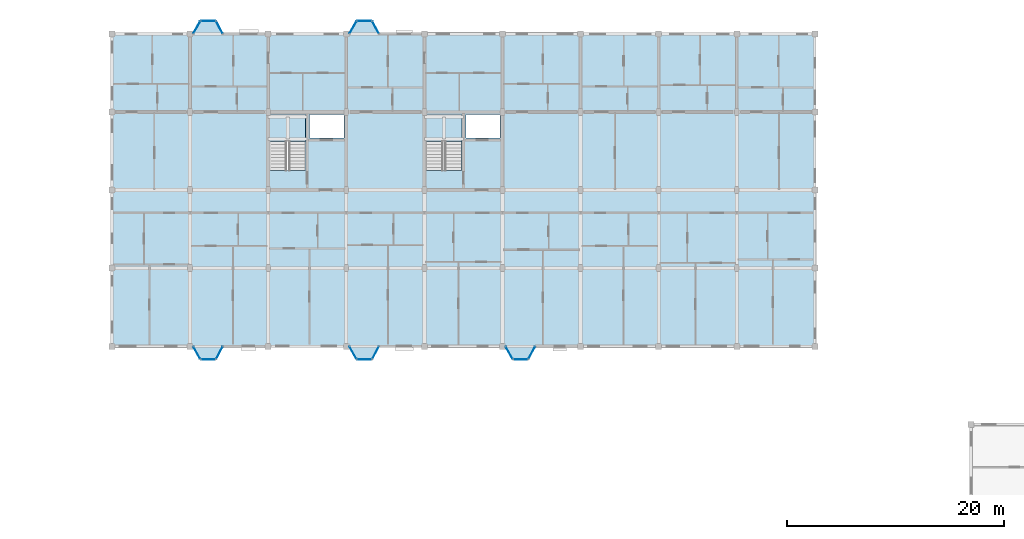
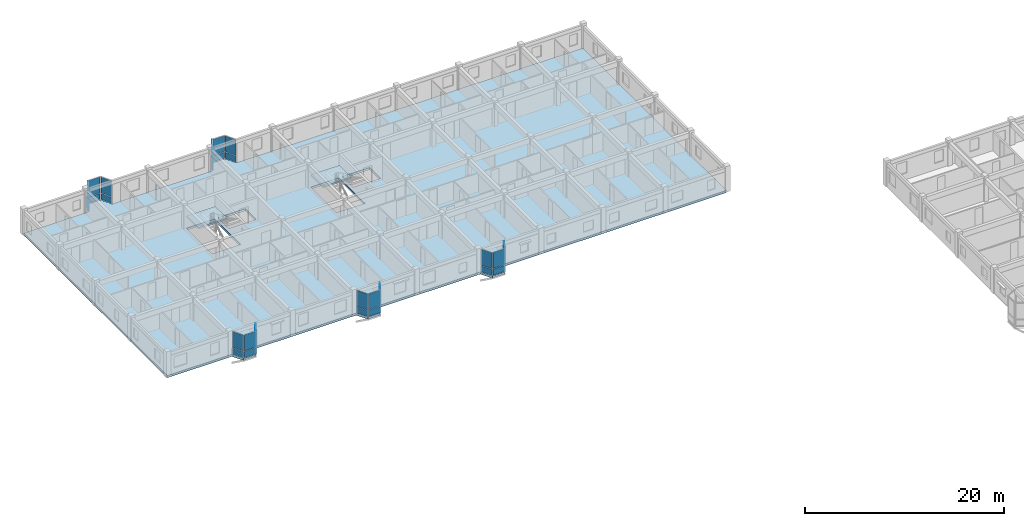
# One storey, part 49 of 77: 30 plates, 3 slabs, 17 elements without a shape of their own.
"""IFC4 building model written with IfcOpenShell, lengths in metres."""

from ifc_helpers import new_model, si_unit, direction, frame, origin, origin_2d, place, context, subcontext, project, spatial, polyline, rectangle, outline, extrude, material, layer, layer_set, type_object, element, aggregate, save


model = new_model("IFC4")

# Units and contexts
model_context = context("Model", 3, precision=1e-05, world=origin(), true_north=direction((0.0, 1.0)))
body_context = subcontext(model_context, "Body", "Model", "MODEL_VIEW")
ifc_project = project(units=[si_unit("LENGTHUNIT", "METRE"), si_unit("AREAUNIT", "SQUARE_METRE"), si_unit("VOLUMEUNIT", "CUBIC_METRE"), si_unit("PLANEANGLEUNIT", "RADIAN"), si_unit("MASSUNIT", "GRAM", prefix="KILO"), si_unit("THERMODYNAMICTEMPERATUREUNIT", "KELVIN"), si_unit("POWERUNIT", "WATT")], contexts=[model_context])

# Site, building, storey
site_placement = place(None, origin())
site = spatial("IfcSite", under=ifc_project, at=site_placement, CompositionType="ELEMENT")
building_placement = place(site_placement, origin())
building = spatial("IfcBuilding", under=site, at=building_placement, Name="Tavuni Mirador Residences", CompositionType="ELEMENT")
storey_placement = place(building_placement, frame((0.0, 0.0, 10.800048828125)))
storey = spatial("IfcBuildingStorey", under=building, at=storey_placement, Name="L03", CompositionType="ELEMENT", Elevation=10.800048828125)

# Curtain wall, plate
ifc_material_1 = material(Name="Anodised aluminium", Category="aluminium")
ifc_layer_1 = layer(ifc_material_1, 0.1650390625, Name="Anodised aluminium", Category="aluminium")
ifc_layer_set_1 = layer_set([ifc_layer_1], Name="Anodised aluminium")
curtain_wall_type_1 = type_object("IfcCurtainWallType", Name="CWT-MIR-A", PredefinedType="NOTDEFINED", material=ifc_layer_set_1)
curtain_wall_1_placement = place(storey_placement, origin())
curtain_wall_1 = element("IfcCurtainWall", 1, at=curtain_wall_1_placement, inside=storey, type_object=curtain_wall_type_1, Name="CW-MIR-C-S1-L03-MF", PredefinedType="NOTDEFINED")
ifc_material_2 = material(Name="Laminated solar-control glass", Category="glass")
ifc_layer_2 = layer(ifc_material_2, 0.02392578125, Name="Laminated solar-control glass", Category="glass")
ifc_layer_set_2 = layer_set([ifc_layer_2], Name="Laminated solar-control glass")
plate_type_1 = type_object("IfcPlateType", Name="CWP-GL24", PredefinedType="CURTAIN_PANEL", material=ifc_layer_set_2)
plate_1_placement = place(storey_placement, frame((19.669921875, 142.800048828125, 0.8798828125), z_axis=(0.0, 0.0, 1.0), x_axis=(1.0, 0.0, 0.0)))
plate_1 = element("IfcPlate", 2, at=plate_1_placement, type_object=plate_type_1, Name="CW-01 panel 1.2", PredefinedType="CURTAIN_PANEL", context=body_context, shape_type="SweptSolid", body=[
    extrude(rectangle(XDim=1.300048828125, YDim=0.02392578125, at=origin_2d()), origin(), (0.0, 0.0, 1.0), 1.945068359375),
])

curtain_wall_2_placement = place(storey_placement, origin())
curtain_wall_2 = element("IfcCurtainWall", 3, at=curtain_wall_2_placement, inside=storey, type_object=curtain_wall_type_1, Name="CW-MIR-C-S2-L03-M2", PredefinedType="NOTDEFINED")
plate_2_placement = place(storey_placement, frame((35.10009765625, 143.39990234375, 0.8798828125), z_axis=(0.0, 0.0, 1.0), x_axis=(0.470588235296, 0.882352941175, 0.0)))
plate_2 = element("IfcPlate", 4, at=plate_2_placement, type_object=plate_type_1, Name="CW-01 panel 1.2", PredefinedType="CURTAIN_PANEL", context=body_context, shape_type="SweptSolid", body=[
    extrude(rectangle(XDim=1.239990234375, YDim=0.02392578125, at=origin_2d()), origin(), (0.0, 0.0, 1.0), 1.945068359375),
])

curtain_wall_3_placement = place(storey_placement, origin())
curtain_wall_3 = element("IfcCurtainWall", 5, at=curtain_wall_3_placement, inside=storey, type_object=curtain_wall_type_1, Name="CW-MIR-C-N2-L03-M1", PredefinedType="NOTDEFINED")
plate_3_placement = place(storey_placement, frame((35.10009765625, 173.39990234375, 0.8798828125), z_axis=(0.0, 0.0, 1.0), x_axis=(-0.470588235296, 0.882352941175, 0.0)))
plate_3 = element("IfcPlate", 6, at=plate_3_placement, type_object=plate_type_1, Name="CW-01 panel 1.2", PredefinedType="CURTAIN_PANEL", context=body_context, shape_type="SweptSolid", body=[
    extrude(rectangle(XDim=1.239990234375, YDim=0.02392578125, at=origin_2d()), origin(), (0.0, 0.0, 1.0), 1.945068359375),
])

curtain_wall_4_placement = place(storey_placement, origin())
curtain_wall_4 = element("IfcCurtainWall", 7, at=curtain_wall_4_placement, inside=storey, type_object=curtain_wall_type_1, Name="CW-MIR-C-N1-L03-MF", PredefinedType="NOTDEFINED")
plate_4_placement = place(storey_placement, frame((19.669921875, 174.0, 0.8798828125), z_axis=(0.0, 0.0, 1.0), x_axis=(-1.0, 0.0, 0.0)))
plate_4 = element("IfcPlate", 8, at=plate_4_placement, type_object=plate_type_1, Name="CW-01 panel 1.2", PredefinedType="CURTAIN_PANEL", context=body_context, shape_type="SweptSolid", body=[
    extrude(rectangle(XDim=1.300048828125, YDim=0.02392578125, at=origin_2d()), origin(), (0.0, 0.0, 1.0), 1.945068359375),
])

ifc_layer_3 = layer(ifc_material_1, 0.14990234375, Name="Anodised aluminium", Category="aluminium")
ifc_layer_set_3 = layer_set([ifc_layer_3], Name="Anodised aluminium")
curtain_wall_type_2 = type_object("IfcCurtainWallType", Name="CWT-MIR-B", PredefinedType="NOTDEFINED", material=ifc_layer_set_3)
curtain_wall_5_placement = place(storey_placement, origin())
curtain_wall_5 = element("IfcCurtainWall", 9, at=curtain_wall_5_placement, inside=storey, type_object=curtain_wall_type_2, Name="CW-MIR-C-S1-L03-M2", PredefinedType="NOTDEFINED")
ifc_layer_4 = layer(ifc_material_2, 0.028076171875, Name="Laminated solar-control glass", Category="glass")
ifc_layer_set_4 = layer_set([ifc_layer_4], Name="Laminated solar-control glass")
plate_type_2 = type_object("IfcPlateType", Name="CWP-GL28", PredefinedType="CURTAIN_PANEL", material=ifc_layer_set_4)
plate_5_placement = place(storey_placement, frame((20.699951171875, 143.39990234375, 0.882568359375), z_axis=(0.0, 0.0, 1.0), x_axis=(0.470588235296, 0.882352941175, 0.0)))
plate_5 = element("IfcPlate", 10, at=plate_5_placement, type_object=plate_type_2, Name="CW-02 panel 1.2", PredefinedType="CURTAIN_PANEL", context=body_context, shape_type="SweptSolid", body=[
    extrude(rectangle(XDim=1.22998046875, YDim=0.028076171875, at=origin_2d()), origin(), (0.0, 0.0, 1.0), 1.9375),
])

curtain_wall_6_placement = place(storey_placement, origin())
curtain_wall_6 = element("IfcCurtainWall", 11, at=curtain_wall_6_placement, inside=storey, type_object=curtain_wall_type_2, Name="CW-MIR-C-S3-L03-M1", PredefinedType="NOTDEFINED")
plate_6_placement = place(storey_placement, frame((47.41748046875, 143.39990234375, 0.882568359375), z_axis=(0.0, 0.0, 1.0), x_axis=(0.495749192217, -0.868465738194, 0.0)))
plate_6 = element("IfcPlate", 12, at=plate_6_placement, type_object=plate_type_2, Name="CW-02 panel 1.2", PredefinedType="CURTAIN_PANEL", context=body_context, shape_type="SweptSolid", body=[
    extrude(rectangle(XDim=1.251708984375, YDim=0.028076171875, at=origin_2d()), origin(), (0.0, 0.0, 1.0), 1.9375),
])

curtain_wall_7_placement = place(storey_placement, origin())
curtain_wall_7 = element("IfcCurtainWall", 13, at=curtain_wall_7_placement, inside=storey, type_object=curtain_wall_type_2, Name="CW-MIR-C-N2-L03-MF", PredefinedType="NOTDEFINED")
plate_7_placement = place(storey_placement, frame((34.070068359375, 174.0, 0.882568359375), z_axis=(0.0, 0.0, 1.0), x_axis=(-1.0, 0.0, 0.0)))
plate_7 = element("IfcPlate", 14, at=plate_7_placement, type_object=plate_type_2, Name="CW-02 panel 1.2", PredefinedType="CURTAIN_PANEL", context=body_context, shape_type="SweptSolid", body=[
    extrude(rectangle(XDim=1.2900390625, YDim=0.028076171875, at=origin_2d()), origin(), (0.0, 0.0, 1.0), 1.9375),
])

curtain_wall_8_placement = place(storey_placement, origin())
curtain_wall_8 = element("IfcCurtainWall", 15, at=curtain_wall_8_placement, inside=storey, type_object=curtain_wall_type_2, Name="CW-MIR-C-N1-L03-M2", PredefinedType="NOTDEFINED")
plate_8_placement = place(storey_placement, frame((18.617431640625, 173.39990234375, 0.882568359375), z_axis=(0.0, 0.0, 1.0), x_axis=(-0.495749192217, -0.868465738194, 0.0)))
plate_8 = element("IfcPlate", 16, at=plate_8_placement, type_object=plate_type_2, Name="CW-02 panel 1.2", PredefinedType="CURTAIN_PANEL", context=body_context, shape_type="SweptSolid", body=[
    extrude(rectangle(XDim=1.251708984375, YDim=0.028076171875, at=origin_2d()), origin(), (0.0, 0.0, 1.0), 1.9375),
])

ifc_layer_5 = layer(ifc_material_1, 0.175048828125, Name="Anodised aluminium", Category="aluminium")
ifc_layer_set_5 = layer_set([ifc_layer_5], Name="Anodised aluminium")
curtain_wall_type_3 = type_object("IfcCurtainWallType", Name="CWT-MIR-C", PredefinedType="NOTDEFINED", material=ifc_layer_set_5)
curtain_wall_9_placement = place(storey_placement, origin())
curtain_wall_9 = element("IfcCurtainWall", 17, at=curtain_wall_9_placement, inside=storey, type_object=curtain_wall_type_3, Name="CW-MIR-C-S2-L03-M1", PredefinedType="NOTDEFINED")
ifc_layer_6 = layer(ifc_material_2, 0.031982421875, Name="Laminated solar-control glass", Category="glass")
ifc_layer_set_6 = layer_set([ifc_layer_6], Name="Laminated solar-control glass")
plate_type_3 = type_object("IfcPlateType", Name="CWP-GL32", PredefinedType="CURTAIN_PANEL", material=ifc_layer_set_6)
plate_9_placement = place(storey_placement, frame((33.017578125, 143.39990234375, 0.8798828125), z_axis=(0.0, 0.0, 1.0), x_axis=(0.495749192217, -0.868465738194, 0.0)))
plate_9 = element("IfcPlate", 18, at=plate_9_placement, type_object=plate_type_3, Name="CW-03 panel 1.2", PredefinedType="CURTAIN_PANEL", context=body_context, shape_type="SweptSolid", body=[
    extrude(rectangle(XDim=1.26171875, YDim=0.031982421875, at=origin_2d()), origin(), (0.0, 0.0, 1.0), 1.945068359375),
])

curtain_wall_10_placement = place(storey_placement, origin())
curtain_wall_10 = element("IfcCurtainWall", 19, at=curtain_wall_10_placement, inside=storey, type_object=curtain_wall_type_3, Name="CW-MIR-C-S3-L03-MF", PredefinedType="NOTDEFINED")
plate_10_placement = place(storey_placement, frame((48.469970703125, 142.800048828125, 0.8798828125), z_axis=(0.0, 0.0, 1.0), x_axis=(1.0, 0.0, 0.0)))
plate_10 = element("IfcPlate", 20, at=plate_10_placement, type_object=plate_type_3, Name="CW-03 panel 1.2", PredefinedType="CURTAIN_PANEL", context=body_context, shape_type="SweptSolid", body=[
    extrude(rectangle(XDim=1.300048828125, YDim=0.031982421875, at=origin_2d()), origin(), (0.0, 0.0, 1.0), 1.945068359375),
])

curtain_wall_11_placement = place(storey_placement, origin())
curtain_wall_11 = element("IfcCurtainWall", 21, at=curtain_wall_11_placement, inside=storey, type_object=curtain_wall_type_3, Name="CW-MIR-C-N2-L03-M2", PredefinedType="NOTDEFINED")
plate_11_placement = place(storey_placement, frame((33.017578125, 173.39990234375, 0.8798828125), z_axis=(0.0, 0.0, 1.0), x_axis=(-0.495749192217, -0.868465738194, 0.0)))
plate_11 = element("IfcPlate", 22, at=plate_11_placement, type_object=plate_type_3, Name="CW-03 panel 1.2", PredefinedType="CURTAIN_PANEL", context=body_context, shape_type="SweptSolid", body=[
    extrude(rectangle(XDim=1.26171875, YDim=0.031982421875, at=origin_2d()), origin(), (0.0, 0.0, 1.0), 1.945068359375),
])

ifc_layer_7 = layer(ifc_material_1, 0.159912109375, Name="Anodised aluminium", Category="aluminium")
ifc_layer_set_7 = layer_set([ifc_layer_7], Name="Anodised aluminium")
curtain_wall_type_4 = type_object("IfcCurtainWallType", Name="CWT-MIR-D", PredefinedType="NOTDEFINED", material=ifc_layer_set_7)
curtain_wall_12_placement = place(storey_placement, origin())
curtain_wall_12 = element("IfcCurtainWall", 23, at=curtain_wall_12_placement, inside=storey, type_object=curtain_wall_type_4, Name="CW-MIR-C-S1-L03-M1", PredefinedType="NOTDEFINED")
ifc_layer_8 = layer(ifc_material_2, 0.035888671875, Name="Laminated solar-control glass", Category="glass")
ifc_layer_set_8 = layer_set([ifc_layer_8], Name="Laminated solar-control glass")
plate_type_4 = type_object("IfcPlateType", Name="CWP-GL36", PredefinedType="CURTAIN_PANEL", material=ifc_layer_set_8)
plate_12_placement = place(storey_placement, frame((18.617431640625, 143.39990234375, 0.882568359375), z_axis=(0.0, 0.0, 1.0), x_axis=(0.495749192217, -0.868465738194, 0.0)))
plate_12 = element("IfcPlate", 24, at=plate_12_placement, type_object=plate_type_4, Name="CW-04 panel 1.2", PredefinedType="CURTAIN_PANEL", context=body_context, shape_type="SweptSolid", body=[
    extrude(rectangle(XDim=1.251708984375, YDim=0.035888671875, at=origin_2d()), origin(), (0.0, 0.0, 1.0), 1.9375),
])

curtain_wall_13_placement = place(storey_placement, origin())
curtain_wall_13 = element("IfcCurtainWall", 25, at=curtain_wall_13_placement, inside=storey, type_object=curtain_wall_type_4, Name="CW-MIR-C-S2-L03-MF", PredefinedType="NOTDEFINED")
plate_13_placement = place(storey_placement, frame((34.070068359375, 142.800048828125, 0.882568359375), z_axis=(0.0, 0.0, 1.0), x_axis=(1.0, 0.0, 0.0)))
plate_13 = element("IfcPlate", 26, at=plate_13_placement, type_object=plate_type_4, Name="CW-04 panel 1.2", PredefinedType="CURTAIN_PANEL", context=body_context, shape_type="SweptSolid", body=[
    extrude(rectangle(XDim=1.2900390625, YDim=0.035888671875, at=origin_2d()), origin(), (0.0, 0.0, 1.0), 1.9375),
])

curtain_wall_14_placement = place(storey_placement, origin())
curtain_wall_14 = element("IfcCurtainWall", 27, at=curtain_wall_14_placement, inside=storey, type_object=curtain_wall_type_4, Name="CW-MIR-C-S3-L03-M2", PredefinedType="NOTDEFINED")
plate_14_placement = place(storey_placement, frame((49.5, 143.39990234375, 0.882568359375), z_axis=(0.0, 0.0, 1.0), x_axis=(0.470588235296, 0.882352941175, 0.0)))
plate_14 = element("IfcPlate", 28, at=plate_14_placement, type_object=plate_type_4, Name="CW-04 panel 1.2", PredefinedType="CURTAIN_PANEL", context=body_context, shape_type="SweptSolid", body=[
    extrude(rectangle(XDim=1.22998046875, YDim=0.035888671875, at=origin_2d()), origin(), (0.0, 0.0, 1.0), 1.9375),
])

curtain_wall_15_placement = place(storey_placement, origin())
curtain_wall_15 = element("IfcCurtainWall", 29, at=curtain_wall_15_placement, inside=storey, type_object=curtain_wall_type_4, Name="CW-MIR-C-N1-L03-M1", PredefinedType="NOTDEFINED")
plate_15_placement = place(storey_placement, frame((20.699951171875, 173.39990234375, 0.882568359375), z_axis=(0.0, 0.0, 1.0), x_axis=(-0.470588235296, 0.882352941175, 0.0)))
plate_15 = element("IfcPlate", 30, at=plate_15_placement, type_object=plate_type_4, Name="CW-04 panel 1.2", PredefinedType="CURTAIN_PANEL", context=body_context, shape_type="SweptSolid", body=[
    extrude(rectangle(XDim=1.22998046875, YDim=0.035888671875, at=origin_2d()), origin(), (0.0, 0.0, 1.0), 1.9375),
])

# Plate
ifc_material_3 = material(Name="Ceramic trencadis mosaic panel", Category="masonry")
ifc_layer_9 = layer(ifc_material_3, 0.0419921875, Name="Ceramic trencadis mosaic panel", Category="masonry")
ifc_layer_set_9 = layer_set([ifc_layer_9], Name="Ceramic trencadis mosaic panel")
plate_type_5 = type_object("IfcPlateType", Name="CWP-SP42", PredefinedType="CURTAIN_PANEL", material=ifc_layer_set_9)
plate_16_placement = place(storey_placement, frame((19.669921875, 142.800048828125, 0.06005859375), z_axis=(0.0, 0.0, 1.0), x_axis=(1.0, 0.0, 0.0)))
plate_16 = element("IfcPlate", 31, at=plate_16_placement, type_object=plate_type_5, Name="CW-01 panel 1.1", PredefinedType="CURTAIN_PANEL", context=body_context, shape_type="SweptSolid", body=[
    extrude(rectangle(XDim=1.300048828125, YDim=0.0419921875, at=origin_2d()), origin(), (0.0, 0.0, 1.0), 0.760009765625),
])

aggregate(curtain_wall_1, [plate_16, plate_1])

plate_17_placement = place(storey_placement, frame((33.017578125, 143.39990234375, 0.06005859375), z_axis=(0.0, 0.0, 1.0), x_axis=(0.495749192217, -0.868465738194, 0.0)))
plate_17 = element("IfcPlate", 32, at=plate_17_placement, type_object=plate_type_5, Name="CW-03 panel 1.1", PredefinedType="CURTAIN_PANEL", context=body_context, shape_type="SweptSolid", body=[
    extrude(rectangle(XDim=1.26171875, YDim=0.0419921875, at=origin_2d()), origin(), (0.0, 0.0, 1.0), 0.760009765625),
])

aggregate(curtain_wall_9, [plate_17, plate_9])

plate_18_placement = place(storey_placement, frame((35.10009765625, 143.39990234375, 0.06005859375), z_axis=(0.0, 0.0, 1.0), x_axis=(0.470588235296, 0.882352941175, 0.0)))
plate_18 = element("IfcPlate", 33, at=plate_18_placement, type_object=plate_type_5, Name="CW-01 panel 1.1", PredefinedType="CURTAIN_PANEL", context=body_context, shape_type="SweptSolid", body=[
    extrude(rectangle(XDim=1.239990234375, YDim=0.0419921875, at=origin_2d()), origin(), (0.0, 0.0, 1.0), 0.760009765625),
])

aggregate(curtain_wall_2, [plate_18, plate_2])

plate_19_placement = place(storey_placement, frame((48.469970703125, 142.800048828125, 0.06005859375), z_axis=(0.0, 0.0, 1.0), x_axis=(1.0, 0.0, 0.0)))
plate_19 = element("IfcPlate", 34, at=plate_19_placement, type_object=plate_type_5, Name="CW-03 panel 1.1", PredefinedType="CURTAIN_PANEL", context=body_context, shape_type="SweptSolid", body=[
    extrude(rectangle(XDim=1.300048828125, YDim=0.0419921875, at=origin_2d()), origin(), (0.0, 0.0, 1.0), 0.760009765625),
])

aggregate(curtain_wall_10, [plate_19, plate_10])

plate_20_placement = place(storey_placement, frame((35.10009765625, 173.39990234375, 0.06005859375), z_axis=(0.0, 0.0, 1.0), x_axis=(-0.470588235296, 0.882352941175, 0.0)))
plate_20 = element("IfcPlate", 35, at=plate_20_placement, type_object=plate_type_5, Name="CW-01 panel 1.1", PredefinedType="CURTAIN_PANEL", context=body_context, shape_type="SweptSolid", body=[
    extrude(rectangle(XDim=1.239990234375, YDim=0.0419921875, at=origin_2d()), origin(), (0.0, 0.0, 1.0), 0.760009765625),
])

aggregate(curtain_wall_3, [plate_20, plate_3])

plate_21_placement = place(storey_placement, frame((33.017578125, 173.39990234375, 0.06005859375), z_axis=(0.0, 0.0, 1.0), x_axis=(-0.495749192217, -0.868465738194, 0.0)))
plate_21 = element("IfcPlate", 36, at=plate_21_placement, type_object=plate_type_5, Name="CW-03 panel 1.1", PredefinedType="CURTAIN_PANEL", context=body_context, shape_type="SweptSolid", body=[
    extrude(rectangle(XDim=1.26171875, YDim=0.0419921875, at=origin_2d()), origin(), (0.0, 0.0, 1.0), 0.760009765625),
])

aggregate(curtain_wall_11, [plate_21, plate_11])

plate_22_placement = place(storey_placement, frame((19.669921875, 174.0, 0.06005859375), z_axis=(0.0, 0.0, 1.0), x_axis=(-1.0, 0.0, 0.0)))
plate_22 = element("IfcPlate", 37, at=plate_22_placement, type_object=plate_type_5, Name="CW-01 panel 1.1", PredefinedType="CURTAIN_PANEL", context=body_context, shape_type="SweptSolid", body=[
    extrude(rectangle(XDim=1.300048828125, YDim=0.0419921875, at=origin_2d()), origin(), (0.0, 0.0, 1.0), 0.760009765625),
])

aggregate(curtain_wall_4, [plate_22, plate_4])

ifc_layer_10 = layer(ifc_material_3, 0.048095703125, Name="Ceramic trencadis mosaic panel", Category="masonry")
ifc_layer_set_10 = layer_set([ifc_layer_10], Name="Ceramic trencadis mosaic panel")
plate_type_6 = type_object("IfcPlateType", Name="CWP-SP48", PredefinedType="CURTAIN_PANEL", material=ifc_layer_set_10)
plate_23_placement = place(storey_placement, frame((18.617431640625, 143.39990234375, 0.06494140625), z_axis=(0.0, 0.0, 1.0), x_axis=(0.495749192217, -0.868465738194, 0.0)))
plate_23 = element("IfcPlate", 38, at=plate_23_placement, type_object=plate_type_6, Name="CW-04 panel 1.1", PredefinedType="CURTAIN_PANEL", context=body_context, shape_type="SweptSolid", body=[
    extrude(rectangle(XDim=1.251708984375, YDim=0.048095703125, at=origin_2d()), origin(), (0.0, 0.0, 1.0), 0.75244140625),
])

aggregate(curtain_wall_12, [plate_23, plate_12])

plate_24_placement = place(storey_placement, frame((20.699951171875, 143.39990234375, 0.06494140625), z_axis=(0.0, 0.0, 1.0), x_axis=(0.470588235296, 0.882352941175, 0.0)))
plate_24 = element("IfcPlate", 39, at=plate_24_placement, type_object=plate_type_6, Name="CW-02 panel 1.1", PredefinedType="CURTAIN_PANEL", context=body_context, shape_type="SweptSolid", body=[
    extrude(rectangle(XDim=1.22998046875, YDim=0.048095703125, at=origin_2d()), origin(), (0.0, 0.0, 1.0), 0.75244140625),
])

aggregate(curtain_wall_5, [plate_24, plate_5])

plate_25_placement = place(storey_placement, frame((34.070068359375, 142.800048828125, 0.06494140625), z_axis=(0.0, 0.0, 1.0), x_axis=(1.0, 0.0, 0.0)))
plate_25 = element("IfcPlate", 40, at=plate_25_placement, type_object=plate_type_6, Name="CW-04 panel 1.1", PredefinedType="CURTAIN_PANEL", context=body_context, shape_type="SweptSolid", body=[
    extrude(rectangle(XDim=1.2900390625, YDim=0.048095703125, at=origin_2d()), origin(), (0.0, 0.0, 1.0), 0.75244140625),
])

aggregate(curtain_wall_13, [plate_25, plate_13])

plate_26_placement = place(storey_placement, frame((47.41748046875, 143.39990234375, 0.06494140625), z_axis=(0.0, 0.0, 1.0), x_axis=(0.495749192217, -0.868465738194, 0.0)))
plate_26 = element("IfcPlate", 41, at=plate_26_placement, type_object=plate_type_6, Name="CW-02 panel 1.1", PredefinedType="CURTAIN_PANEL", context=body_context, shape_type="SweptSolid", body=[
    extrude(rectangle(XDim=1.251708984375, YDim=0.048095703125, at=origin_2d()), origin(), (0.0, 0.0, 1.0), 0.75244140625),
])

aggregate(curtain_wall_6, [plate_26, plate_6])

plate_27_placement = place(storey_placement, frame((49.5, 143.39990234375, 0.06494140625), z_axis=(0.0, 0.0, 1.0), x_axis=(0.470588235296, 0.882352941175, 0.0)))
plate_27 = element("IfcPlate", 42, at=plate_27_placement, type_object=plate_type_6, Name="CW-04 panel 1.1", PredefinedType="CURTAIN_PANEL", context=body_context, shape_type="SweptSolid", body=[
    extrude(rectangle(XDim=1.22998046875, YDim=0.048095703125, at=origin_2d()), origin(), (0.0, 0.0, 1.0), 0.75244140625),
])

aggregate(curtain_wall_14, [plate_27, plate_14])

plate_28_placement = place(storey_placement, frame((34.070068359375, 174.0, 0.06494140625), z_axis=(0.0, 0.0, 1.0), x_axis=(-1.0, 0.0, 0.0)))
plate_28 = element("IfcPlate", 43, at=plate_28_placement, type_object=plate_type_6, Name="CW-02 panel 1.1", PredefinedType="CURTAIN_PANEL", context=body_context, shape_type="SweptSolid", body=[
    extrude(rectangle(XDim=1.2900390625, YDim=0.048095703125, at=origin_2d()), origin(), (0.0, 0.0, 1.0), 0.75244140625),
])

aggregate(curtain_wall_7, [plate_28, plate_7])

plate_29_placement = place(storey_placement, frame((20.699951171875, 173.39990234375, 0.06494140625), z_axis=(0.0, 0.0, 1.0), x_axis=(-0.470588235296, 0.882352941175, 0.0)))
plate_29 = element("IfcPlate", 44, at=plate_29_placement, type_object=plate_type_6, Name="CW-04 panel 1.1", PredefinedType="CURTAIN_PANEL", context=body_context, shape_type="SweptSolid", body=[
    extrude(rectangle(XDim=1.22998046875, YDim=0.048095703125, at=origin_2d()), origin(), (0.0, 0.0, 1.0), 0.75244140625),
])

aggregate(curtain_wall_15, [plate_29, plate_15])

plate_30_placement = place(storey_placement, frame((18.617431640625, 173.39990234375, 0.06494140625), z_axis=(0.0, 0.0, 1.0), x_axis=(-0.495749192217, -0.868465738194, 0.0)))
plate_30 = element("IfcPlate", 45, at=plate_30_placement, type_object=plate_type_6, Name="CW-02 panel 1.1", PredefinedType="CURTAIN_PANEL", context=body_context, shape_type="SweptSolid", body=[
    extrude(rectangle(XDim=1.251708984375, YDim=0.048095703125, at=origin_2d()), origin(), (0.0, 0.0, 1.0), 0.75244140625),
])

aggregate(curtain_wall_8, [plate_30, plate_8])

# Slab
ifc_material_4 = material(Name="Prestressed concrete C45/55", Category="concrete")
ifc_layer_11 = layer(ifc_material_4, 0.264892578125, Name="Prestressed concrete C45/55", Category="concrete")
ifc_layer_set_11 = layer_set([ifc_layer_11], Name="Prestressed concrete C45/55")
slab_type_1 = type_object("IfcSlabType", Name="SLT-FLR265", PredefinedType="FLOOR", material=ifc_layer_set_11)
slab_1_placement = place(storey_placement, frame((0.0, 0.0, -0.26513671875)))
element("IfcSlab", 46, at=slab_1_placement, inside=storey, type_object=slab_type_1, Name="SLB-BLK-C-L03", PredefinedType="FLOOR", context=body_context, shape_type="SweptSolid", body=[
    extrude(outline(polyline([(10.800048828125, 144.0), (18.27490234375, 144.0), (18.9599609375, 142.800048828125), (20.3798828125, 142.800048828125), (21.02001953125, 144.0), (32.675048828125, 144.0), (33.360107421875, 142.800048828125), (34.780029296875, 142.800048828125), (35.419921875, 144.0), (47.074951171875, 144.0), (47.760009765625, 142.800048828125), (49.179931640625, 142.800048828125), (49.820068359375, 144.0), (75.60009765625, 144.0), (75.60009765625, 172.800048828125), (35.419921875, 172.800048828125), (34.780029296875, 174.0), (33.360107421875, 174.0), (32.675048828125, 172.800048828125), (21.02001953125, 172.800048828125), (20.3798828125, 174.0), (18.9599609375, 174.0), (18.27490234375, 172.800048828125), (10.800048828125, 172.800048828125), (10.800048828125, 144.0)]), holes=[polyline([(25.360107421875, 160.2080078125), (28.639892578125, 160.2080078125), (28.639892578125, 165.360107421875), (25.360107421875, 165.360107421875), (25.360107421875, 160.2080078125)]), polyline([(29.02001953125, 163.219970703125), (32.179931640625, 163.219970703125), (32.179931640625, 165.3798828125), (29.02001953125, 165.3798828125), (29.02001953125, 163.219970703125)]), polyline([(39.760009765625, 160.2080078125), (43.0400390625, 160.2080078125), (43.0400390625, 165.360107421875), (39.760009765625, 165.360107421875), (39.760009765625, 160.2080078125)]), polyline([(43.419921875, 163.219970703125), (46.580078125, 163.219970703125), (46.580078125, 165.3798828125), (43.419921875, 165.3798828125), (43.419921875, 163.219970703125)])]), origin(), (0.0, 0.0, 1.0), 0.26513671875),
])

# Stair, slab
ifc_material_5 = material(Name="Precast concrete C40/50", Category="concrete")
stair_type = type_object("IfcStairType", Name="STT-TYP", PredefinedType="HALF_TURN_STAIR", material=ifc_material_5)
stair_1_placement = place(storey_placement, origin())
stair_1 = element("IfcStair", 47, at=stair_1_placement, inside=storey, type_object=stair_type, Name="Protected exit stair ST5 (L03)", PredefinedType="HALF_TURN_STAIR")
ifc_layer_12 = layer(ifc_material_5, 0.179931640625, Name="Precast concrete C40/50", Category="concrete")
ifc_layer_set_12 = layer_set([ifc_layer_12], Name="Precast concrete C40/50")
slab_type_2 = type_object("IfcSlabType", Name="SLT-LND180", PredefinedType="LANDING", material=ifc_layer_set_12)
slab_2_placement = place(storey_placement, frame((0.0, 0.0, 1.39501953125)))
slab_2 = element("IfcSlab", 48, at=slab_2_placement, type_object=slab_type_2, Name="ST5 landing 1", PredefinedType="LANDING", context=body_context, shape_type="SweptSolid", body=[
    extrude(outline(polyline([(25.340087890625, 162.89208984375), (28.659912109375, 162.89208984375), (28.659912109375, 165.300048828125), (25.340087890625, 165.300048828125), (25.340087890625, 162.89208984375)])), origin(), (0.0, 0.0, 1.0), 0.179931640625),
])
aggregate(stair_1, [slab_2])

stair_2_placement = place(storey_placement, origin())
stair_2 = element("IfcStair", 49, at=stair_2_placement, inside=storey, type_object=stair_type, Name="Protected exit stair ST6 (L03)", PredefinedType="HALF_TURN_STAIR")
slab_3_placement = place(storey_placement, frame((0.0, 0.0, 1.39501953125)))
slab_3 = element("IfcSlab", 50, at=slab_3_placement, type_object=slab_type_2, Name="ST6 landing 1", PredefinedType="LANDING", context=body_context, shape_type="SweptSolid", body=[
    extrude(outline(polyline([(39.739990234375, 162.89208984375), (43.06005859375, 162.89208984375), (43.06005859375, 165.300048828125), (39.739990234375, 165.300048828125), (39.739990234375, 162.89208984375)])), origin(), (0.0, 0.0, 1.0), 0.179931640625),
])
aggregate(stair_2, [slab_3])

save(model, "model.ifc")
